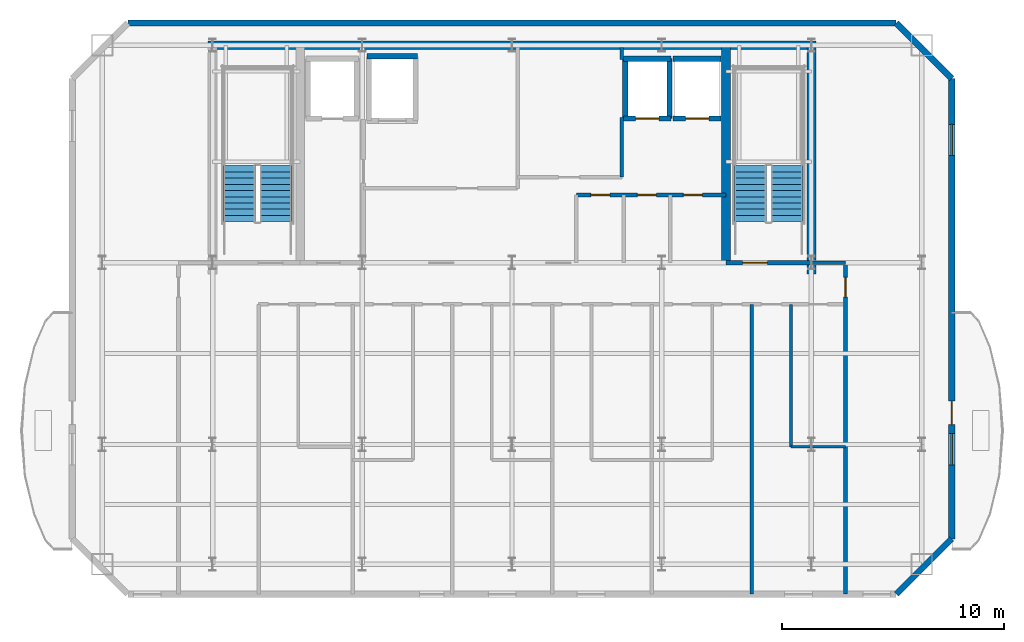
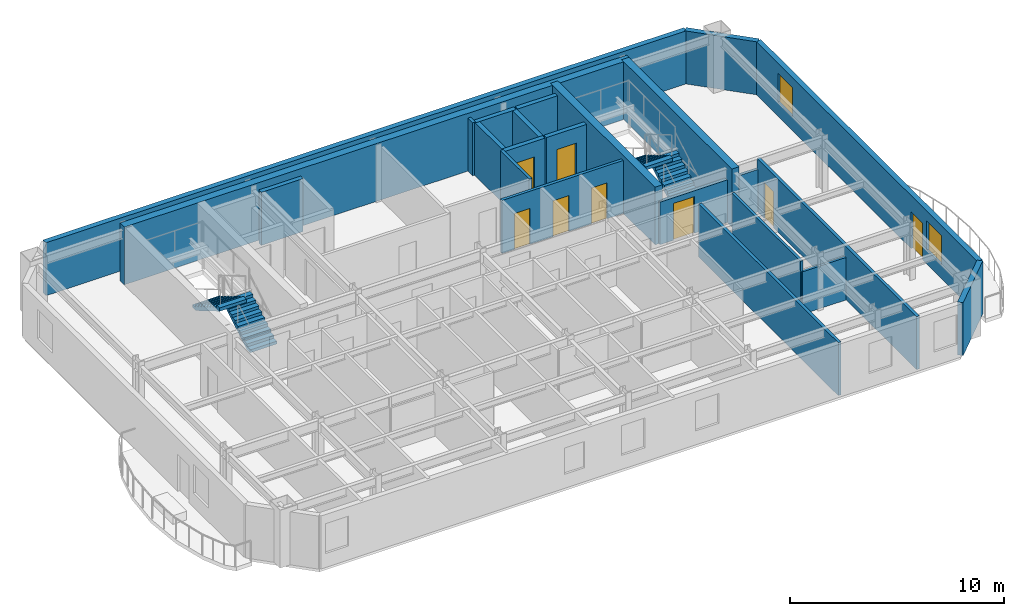
# One storey, part 4 of 6: 23 walls, 8 doors, 4 stair flights, 2 windows, 10 openings, 2 elements without a shape of their own.
"""IFC4 building model written with IfcOpenShell, lengths in metres."""

import ifcopenshell
import ifcopenshell.guid

model = None  # the IFC model being written
_history = None  # IfcOwnerHistory: only IFC2X3 demands one
_inside = {}  # id of a spatial element -> (the spatial element, [elements in it])
_under = {}  # id of a project, library or spatial element -> (it, [spatial elements below it])
_declared = {}  # id of a project -> (the project, [libraries it declares])
_typed = {}  # id of a type object -> (the type object, [elements of that type])
_made_of = {}  # id of a material, layer set ... -> (it, [elements and type objects made of it])


def new_model(schema):
    """Start an empty IFC model of exactly this schema.

    Asked for "IFC4X3", IfcOpenShell would pick the latest addendum, in which some entities
    have other attributes; the version numbers below select the first issue.
    IFC2X3 requires an IfcOwnerHistory on every rooted entity: one is made here for all.
    """
    global model, _history
    if schema == "IFC4X3":
        model = ifcopenshell.file(schema_version=(4, 3, 0, 0))
    else:
        model = ifcopenshell.file(schema=schema)
    _inside.clear()
    _under.clear()
    _declared.clear()
    _typed.clear()
    _made_of.clear()
    _history = None
    if model.schema == "IFC2X3":
        org = make("IfcOrganization", Name="unknown")
        user = make(
            "IfcPersonAndOrganization",
            ThePerson=make("IfcPerson", FamilyName="unknown"),
            TheOrganization=org,
        )
        app = make(
            "IfcApplication",
            ApplicationDeveloper=org,
            Version="unknown",
            ApplicationFullName="unknown",
            ApplicationIdentifier="unknown",
        )
        _history = make(
            "IfcOwnerHistory",
            OwningUser=user,
            OwningApplication=app,
            ChangeAction="ADDED",
            CreationDate=0,
        )
    return model


def make(cls, **values):
    """One entity of the class cls with the attributes given. An attribute that is None is left unset."""
    return model.create_entity(
        cls, **{name: value for name, value in values.items() if value is not None}
    )


def rooted(cls, **values):
    """An entity with a GlobalId (a new one), such as an element, a storey or a relation."""
    return make(cls, GlobalId=ifcopenshell.guid.new(), OwnerHistory=_history, **values)


def si_unit(unit_type, name, prefix=None):
    """IfcSIUnit, for example si_unit("LENGTHUNIT", "METRE", prefix="MILLI")."""
    return make("IfcSIUnit", UnitType=unit_type, Prefix=prefix, Name=name)


def assignment(units):
    """IfcUnitAssignment: the units of a project."""
    return None if units is None else make("IfcUnitAssignment", Units=units)


def point(xyz):
    """IfcCartesianPoint."""
    return None if xyz is None else make("IfcCartesianPoint", Coordinates=xyz)


def direction(xyz):
    """IfcDirection."""
    return None if xyz is None else make("IfcDirection", DirectionRatios=xyz)


def frame(location, z_axis=None, x_axis=None):
    """IfcAxis2Placement3D, a coordinate frame: its origin and axes. An axis left out is left unset."""
    return make(
        "IfcAxis2Placement3D",
        Location=point(location),
        Axis=direction(z_axis),
        RefDirection=direction(x_axis),
    )


def frame_2d(location, x_axis=None):
    """IfcAxis2Placement2D, a coordinate frame in the plane: its origin and x axis."""
    return make(
        "IfcAxis2Placement2D", Location=point(location), RefDirection=direction(x_axis)
    )


def origin():
    """The frame at (0, 0, 0) with its axes left unset."""
    return frame((0.0, 0.0, 0.0))


def place(relative_to, where):
    """IfcLocalPlacement: puts the frame where relative to a parent placement (None: the world)."""
    return make(
        "IfcLocalPlacement", PlacementRelTo=relative_to, RelativePlacement=where
    )


def context(
    kind, dimensions, precision=None, world=None, true_north=None, identifier=None
):
    """IfcGeometricRepresentationContext, for example the 3D "Model" context."""
    return make(
        "IfcGeometricRepresentationContext",
        ContextIdentifier=identifier,
        ContextType=kind,
        CoordinateSpaceDimension=dimensions,
        Precision=precision,
        WorldCoordinateSystem=world,
        TrueNorth=true_north,
    )


def subcontext(parent, identifier, kind, view, scale=None):
    """IfcGeometricRepresentationSubContext, for example "Body" below "Model"."""
    return make(
        "IfcGeometricRepresentationSubContext",
        ContextIdentifier=identifier,
        ContextType=kind,
        ParentContext=parent,
        TargetScale=scale,
        TargetView=view,
    )


def project(units=None, contexts=None):
    """IfcProject with its units and contexts."""
    return rooted(
        "IfcProject",
        Name="project",
        RepresentationContexts=contexts,
        UnitsInContext=assignment(units),
    )


def spatial(cls, under=None, at=None, **own):
    """A site, building, storey or space (cls), placed at a placement, below another one or the project."""
    s = rooted(cls, ObjectPlacement=at, **own)
    if under is not None:
        _under.setdefault(under.id(), (under, []))[1].append(s)
    return s


def polyline(points):
    """IfcPolyline through the points."""
    return make("IfcPolyline", Points=[point(p) for p in points])


def profile(cls, at=None, kind="AREA", **sizes):
    """A parametric profile (cls). Its sizes go by their IFC names, for example OverallWidth=200.0."""
    return make(cls, ProfileType=kind, Position=at, **sizes)


def rectangle(**sizes):
    """IfcRectangleProfileDef."""
    return profile("IfcRectangleProfileDef", **sizes)


def outline(outer, holes=None, kind="AREA"):
    """IfcArbitraryClosedProfileDef: a profile drawn as a closed curve; with holes, ...WithVoids."""
    if holes is None:
        return make("IfcArbitraryClosedProfileDef", ProfileType=kind, OuterCurve=outer)
    return make(
        "IfcArbitraryProfileDefWithVoids",
        ProfileType=kind,
        OuterCurve=outer,
        InnerCurves=holes,
    )


def extrude(swept, where, along, depth):
    """IfcExtrudedAreaSolid: the profile swept, set in the frame where, extruded along a direction by depth."""
    return make(
        "IfcExtrudedAreaSolid",
        SweptArea=swept,
        Position=where,
        ExtrudedDirection=direction(along),
        Depth=depth,
    )


def shape(context_of_items, identifier, shape_type, items):
    """IfcShapeRepresentation: the items that make up one representation, for example the "Body"."""
    return make(
        "IfcShapeRepresentation",
        ContextOfItems=context_of_items,
        RepresentationIdentifier=identifier,
        RepresentationType=shape_type,
        Items=items,
    )


def material(Name=None, Category=None):
    """IfcMaterial."""
    return make("IfcMaterial", Name=Name, Category=Category)


def layer(
    of_material, thickness, ventilated=None, Name=None, Category=None, Priority=None
):
    """IfcMaterialLayer: one layer of a wall or slab, of a material (None: an air gap)."""
    return make(
        "IfcMaterialLayer",
        Material=of_material,
        LayerThickness=thickness,
        IsVentilated=ventilated,
        Name=Name,
        Category=Category,
        Priority=Priority,
    )


def layer_set(layers, Name=None):
    """IfcMaterialLayerSet."""
    return make("IfcMaterialLayerSet", MaterialLayers=layers, LayerSetName=Name)


def made_of(thing, what):
    """Note that an element or type object is made of a material, layer set ...; save() writes the relation."""
    if what is not None:
        _made_of.setdefault(what.id(), (what, []))[1].append(thing)
    return thing


def type_object(cls, material=None, **own):
    """A type object (cls), such as IfcWallType, which elements share."""
    return made_of(rooted(cls, **own), material)


def element(
    cls,
    number,
    at=None,
    inside=None,
    cuts=None,
    type_object=None,
    material=None,
    context=None,
    identifier="Body",
    shape_type=None,
    held_by="IfcProductDefinitionShape",
    body=None,
    shapes=None,
    **own,
):
    """One element of the class cls, such as IfcWall. Its Tag is "e" and its number.

    at: its placement. inside: the storey or other place that contains it. cuts: it is an
    opening in that element (IfcRelVoidsElement). A single representation is given by context,
    identifier, shape_type and body (its items); several are given by shapes. held_by: the class
    of the entity that holds the representations. save() writes the other relations.
    """
    e = rooted(cls, Tag="e%d" % number, ObjectPlacement=at, **own)
    if body is not None:
        shapes = [shape(context, identifier, shape_type, body)]
    if shapes is not None:
        e.Representation = make(held_by, Representations=shapes)
    if inside is not None:
        _inside.setdefault(inside.id(), (inside, []))[1].append(e)
    if cuts is not None:
        rooted(
            "IfcRelVoidsElement", RelatingBuildingElement=cuts, RelatedOpeningElement=e
        )
    if type_object is not None:
        _typed.setdefault(type_object.id(), (type_object, []))[1].append(e)
    return made_of(e, material)


def fill(opening, filler):
    """IfcRelFillsElement: the door or window that sits in an opening."""
    return rooted(
        "IfcRelFillsElement",
        RelatingOpeningElement=opening,
        RelatedBuildingElement=filler,
    )


def aggregate(whole, parts):
    """IfcRelAggregates: a whole, such as a stair, and the parts it consists of."""
    return rooted("IfcRelAggregates", RelatingObject=whole, RelatedObjects=parts)


def save(model, path):
    """Write the relations noted so far, then the file.

    IfcRelAggregates (storeys below a building ...), IfcRelContainedInSpatialStructure (elements
    in a storey), IfcRelDefinesByType, IfcRelAssociatesMaterial and IfcRelDeclares: one each for
    every whole, place, type object, material and project.
    """
    for whole, parts in _under.values():
        aggregate(whole, parts)
    for where, things in _inside.values():
        rooted(
            "IfcRelContainedInSpatialStructure",
            RelatedElements=things,
            RelatingStructure=where,
        )
    for kind, things in _typed.values():
        rooted("IfcRelDefinesByType", RelatedObjects=things, RelatingType=kind)
    for what, things in _made_of.values():
        rooted("IfcRelAssociatesMaterial", RelatedObjects=things, RelatingMaterial=what)
    for by, libraries in _declared.values():
        rooted("IfcRelDeclares", RelatingContext=by, RelatedDefinitions=libraries)
    model.write(path)


model = new_model("IFC4")

# Units and contexts
model_context = context("Model", 3, precision=1e-05, world=origin(), true_north=direction((0.0, 1.0)))
body_context = subcontext(model_context, "Body", "Model", "MODEL_VIEW")
ifc_project = project(units=[si_unit("LENGTHUNIT", "METRE"), si_unit("AREAUNIT", "SQUARE_METRE"), si_unit("VOLUMEUNIT", "CUBIC_METRE"), si_unit("PLANEANGLEUNIT", "RADIAN"), si_unit("MASSUNIT", "GRAM", prefix="KILO")], contexts=[model_context])

# Site, building, storey
site_placement = place(None, origin())
site = spatial("IfcSite", under=ifc_project, at=site_placement, CompositionType="ELEMENT")
building_placement = place(site_placement, origin())
building = spatial("IfcBuilding", under=site, at=building_placement, Name="Haevon Station Towers", CompositionType="ELEMENT")
storey_placement = place(building_placement, frame((0.0, 0.0, 252.60009765625)))
storey = spatial("IfcBuildingStorey", under=building, at=storey_placement, Name="L70", CompositionType="ELEMENT", Elevation=252.60009765625)

# Wall, opening, door
ifc_material_1 = material(Name="Gypsum board on steel stud", Category="steel")
ifc_layer_1 = layer(ifc_material_1, 0.199951171875)
ifc_layer_set_1 = layer_set([ifc_layer_1], Name="Gypsum board on steel stud")
wall_type_1 = type_object("IfcWallType", Name="WL-COR200", PredefinedType="PARTITIONING", material=ifc_layer_set_1)
wall_1_placement = place(storey_placement, frame((47.14990234375, 38.199951171875, 0.0), z_axis=(0.0, 0.0, 1.0), x_axis=(1.0, 0.0, 0.0)))
wall_1 = element("IfcWall", 1, at=wall_1_placement, inside=storey, type_object=wall_type_1, Name="WL-ST-ST2-L70", PredefinedType="PARTITIONING", context=body_context, shape_type="SweptSolid", body=[
    extrude(rectangle(XDim=3.85009765625, YDim=0.199951171875, at=frame_2d((1.925048828125, 0.0))), origin(), (0.0, 0.0, 1.0), 2.429931640625),
])
opening_1_placement = place(wall_1_placement, frame((0.75, 0.0, 0.0)))
opening_1 = element("IfcOpeningElement", 2, at=opening_1_placement, cuts=wall_1, Name="Opening DR-ST-ST2-L70", PredefinedType="OPENING", context=body_context, shape_type="SweptSolid", body=[
    extrude(rectangle(XDim=1.1201171875, YDim=2.10009765625, at=frame_2d((0.56005859375, 1.050048828125))), frame((0.0, 0.10986328125, 0.0), z_axis=(0.0, -1.0, 0.0), x_axis=(1.0, 0.0, 0.0)), (0.0, 0.0, 1.0), 0.219970703125),
])
ifc_material_2 = material(Name="Engineered oak timber", Category="wood")
door_type_1 = type_object("IfcDoorType", Name="DR-ST-1120", OperationType="NOTDEFINED", PredefinedType="DOOR", material=ifc_material_2)
door_1_placement = place(opening_1_placement, origin())
door_1 = element("IfcDoor", 3, at=door_1_placement, inside=storey, type_object=door_type_1, Name="L70 Escape Stair ST2 Fire Door", OperationType="SINGLE_SWING_RIGHT", OverallHeight=2.10009765625, OverallWidth=1.1201171875, PredefinedType="DOOR", context=body_context, shape_type="SweptSolid", body=[
    extrude(rectangle(XDim=1.1201171875, YDim=2.10009765625, at=frame_2d((0.56005859375, 1.050048828125))), frame((0.0, 0.02490234375, 0.0), z_axis=(0.0, -1.0, 0.0), x_axis=(1.0, 0.0, 0.0)), (0.0, 0.0, 1.0), 0.050048828125),
])
fill(opening_1, door_1)

# Walls
ifc_material_3 = material(Name="Concrete C60/75", Category="concrete")
ifc_layer_2 = layer(ifc_material_3, 0.39990234375)
ifc_layer_set_2 = layer_set([ifc_layer_2], Name="Concrete C60/75")
wall_type_2 = type_object("IfcWallType", Name="WL-CR400", PredefinedType="SHEAR", material=ifc_layer_set_2)
wall_2_placement = place(storey_placement, frame((23.800048828125, 48.0, 0.0), z_axis=(0.0, 0.0, 1.0), x_axis=(1.0, 0.0, 0.0)))
element("IfcWall", 4, at=wall_2_placement, inside=storey, type_object=wall_type_2, Name="WL-T1CR-L70-N", PredefinedType="SHEAR", context=body_context, shape_type="SweptSolid", body=[
    extrude(rectangle(XDim=27.39990234375, YDim=0.39990234375, at=frame_2d((13.699951171875, 0.0))), origin(), (0.0, 0.0, 1.0), 3.2998046875),
])
wall_3_placement = place(storey_placement, frame((51.0, 37.679931640625, 0.0), z_axis=(0.0, 0.0, 1.0), x_axis=(0.0, 1.0, 0.0)))
element("IfcWall", 5, at=wall_3_placement, inside=storey, type_object=wall_type_2, Name="WL-T1CR-L70-E", PredefinedType="SHEAR", context=body_context, shape_type="SweptSolid", body=[
    extrude(rectangle(XDim=10.320068359375, YDim=0.39990234375, at=frame_2d((5.16015625, 0.0))), origin(), (0.0, 0.0, 1.0), 3.2998046875),
])
wall_4_placement = place(storey_placement, frame((47.14990234375, 38.199951171875, 0.0), z_axis=(0.0, 0.0, 1.0), x_axis=(0.0, 1.0, 0.0)))
element("IfcWall", 6, at=wall_4_placement, inside=storey, type_object=wall_type_2, Name="WL-T1CR-L70-M2", PredefinedType="SHEAR", context=body_context, shape_type="SweptSolid", body=[
    extrude(rectangle(XDim=9.800048828125, YDim=0.39990234375, at=frame_2d((4.89990234375, 0.0))), origin(), (0.0, 0.0, 1.0), 3.2998046875),
])
ifc_material_4 = material(Name="Precast concrete C45/55", Category="concrete")
ifc_layer_3 = layer(ifc_material_4, 0.280029296875)
ifc_layer_set_3 = layer_set([ifc_layer_3], Name="Precast concrete C45/55")
wall_type_3 = type_object("IfcWallType", Name="WL-EXT-PIER280", PredefinedType="SOLIDWALL", material=ifc_layer_set_3)
wall_5_placement = place(storey_placement, frame((20.175048828125, 49.0, 0.0), z_axis=(0.0, 0.0, 1.0), x_axis=(1.0, 0.0, 0.0)))
element("IfcWall", 7, at=wall_5_placement, inside=storey, type_object=wall_type_3, Name="WL-T1-L70-N", PredefinedType="SOLIDWALL", context=body_context, shape_type="SweptSolid", body=[
    extrude(rectangle(XDim=34.64990234375, YDim=0.280029296875, at=frame_2d((17.324951171875, 0.0))), origin(), (0.0, 0.0, 1.0), 3.02978515625),
])
wall_6_placement = place(storey_placement, frame((54.824951171875, 49.0, 0.0), z_axis=(0.0, 0.0, 1.0), x_axis=(0.707106781187, -0.707106781187, 0.0)))
element("IfcWall", 8, at=wall_6_placement, inside=storey, type_object=wall_type_3, Name="WL-T1-L70-NEC", PredefinedType="SOLIDWALL", context=body_context, shape_type="SweptSolid", body=[
    extrude(rectangle(XDim=3.53564453125, YDim=0.280029296875, at=frame_2d((1.767822265625, 0.0))), origin(), (0.0, 0.0, 1.0), 3.02978515625),
])

# Wall, openings, door, windows
wall_7_placement = place(storey_placement, frame((57.324951171875, 46.5, 0.0), z_axis=(0.0, 0.0, 1.0), x_axis=(0.0, -1.0, 0.0)))
wall_7 = element("IfcWall", 9, at=wall_7_placement, inside=storey, type_object=wall_type_3, Name="WL-T1-L70-E", PredefinedType="SOLIDWALL", context=body_context, shape_type="SweptSolid", body=[
    extrude(rectangle(XDim=20.75, YDim=0.280029296875, at=frame_2d((10.375, 0.0))), origin(), (0.0, 0.0, 1.0), 3.02978515625),
])
opening_2_placement = place(wall_7_placement, frame((14.550048828125, 0.0, 0.0)))
opening_2 = element("IfcOpeningElement", 10, at=opening_2_placement, cuts=wall_7, Name="Opening DR-T1-SCAL-L70-E", PredefinedType="OPENING", context=body_context, shape_type="SweptSolid", body=[
    extrude(rectangle(XDim=1.050048828125, YDim=2.10009765625, at=frame_2d((0.52490234375, 1.050048828125))), frame((0.0, 0.14990234375, 0.0), z_axis=(0.0, -1.0, 0.0), x_axis=(1.0, 0.0, 0.0)), (0.0, 0.0, 1.0), 0.300048828125),
])
opening_3_placement = place(wall_7_placement, frame((2.06787109375, 0.0, 0.800048828125)))
opening_3 = element("IfcOpeningElement", 11, at=opening_3_placement, cuts=wall_7, Name="Opening WN-END140", PredefinedType="OPENING", context=body_context, shape_type="SweptSolid", body=[
    extrude(rectangle(XDim=1.39990234375, YDim=1.64990234375, at=frame_2d((0.699951171875, 0.824951171875))), frame((0.0, 0.14990234375, 0.0), z_axis=(0.0, -1.0, 0.0), x_axis=(1.0, 0.0, 0.0)), (0.0, 0.0, 1.0), 0.300048828125),
])
opening_4_placement = place(wall_7_placement, frame((16.014404296875, 0.0, 0.800048828125)))
opening_4 = element("IfcOpeningElement", 12, at=opening_4_placement, cuts=wall_7, Name="Opening WN-END140", PredefinedType="OPENING", context=body_context, shape_type="SweptSolid", body=[
    extrude(rectangle(XDim=1.39990234375, YDim=1.64990234375, at=frame_2d((0.699951171875, 0.824951171875))), frame((0.0, 0.14990234375, 0.0), z_axis=(0.0, -1.0, 0.0), x_axis=(1.0, 0.0, 0.0)), (0.0, 0.0, 1.0), 0.300048828125),
])
ifc_material_5 = material(Name="Thermally broken anodised aluminium and laminated safety glass", Category="aluminium")
door_type_2 = type_object("IfcDoorType", Name="DR-BALC-1050", OperationType="NOTDEFINED", PredefinedType="DOOR", material=ifc_material_5)
door_2_placement = place(opening_2_placement, origin())
door_2 = element("IfcDoor", 13, at=door_2_placement, inside=storey, type_object=door_type_2, Name="Tower 1 L70 East Scalloped Balcony Door", OperationType="SINGLE_SWING_LEFT", OverallHeight=2.10009765625, OverallWidth=1.050048828125, PredefinedType="DOOR", context=body_context, shape_type="SweptSolid", body=[
    extrude(rectangle(XDim=1.050048828125, YDim=2.10009765625, at=frame_2d((0.52490234375, 1.050048828125))), frame((0.0, 0.02490234375, 0.0), z_axis=(0.0, -1.0, 0.0), x_axis=(1.0, 0.0, 0.0)), (0.0, 0.0, 1.0), 0.050048828125),
])
fill(opening_2, door_2)
ifc_material_6 = material(Name="Low-E triple glazing in thermally broken aluminium", Category="aluminium")
window_type = type_object("IfcWindowType", Name="WN-END140", PartitioningType="SINGLE_PANEL", PredefinedType="WINDOW", material=ifc_material_6)
window_1_placement = place(opening_3_placement, origin())
window_1 = element("IfcWindow", 14, at=window_1_placement, inside=storey, type_object=window_type, Name="WN-T1-L70-E01", OverallHeight=1.64990234375, OverallWidth=1.39990234375, PartitioningType="SINGLE_PANEL", PredefinedType="WINDOW", context=body_context, shape_type="SweptSolid", body=[
    extrude(rectangle(XDim=1.39990234375, YDim=1.64990234375, at=frame_2d((0.699951171875, 0.824951171875))), frame((0.0, 0.030029296875, 0.0), z_axis=(0.0, -1.0, 0.0), x_axis=(1.0, 0.0, 0.0)), (0.0, 0.0, 1.0), 0.06005859375),
])
fill(opening_3, window_1)
window_2_placement = place(opening_4_placement, origin())
window_2 = element("IfcWindow", 15, at=window_2_placement, inside=storey, type_object=window_type, Name="WN-T1-L70-E02", OverallHeight=1.64990234375, OverallWidth=1.39990234375, PartitioningType="SINGLE_PANEL", PredefinedType="WINDOW", context=body_context, shape_type="SweptSolid", body=[
    extrude(rectangle(XDim=1.39990234375, YDim=1.64990234375, at=frame_2d((0.699951171875, 0.824951171875))), frame((0.0, 0.030029296875, 0.0), z_axis=(0.0, -1.0, 0.0), x_axis=(1.0, 0.0, 0.0)), (0.0, 0.0, 1.0), 0.06005859375),
])
fill(opening_4, window_2)

# Walls
wall_8_placement = place(storey_placement, frame((57.324951171875, 25.75, 0.0), z_axis=(0.0, 0.0, 1.0), x_axis=(-0.707106781187, -0.707106781187, 0.0)))
element("IfcWall", 16, at=wall_8_placement, inside=storey, type_object=wall_type_3, Name="WL-T1-L70-SEC", PredefinedType="SOLIDWALL", context=body_context, shape_type="SweptSolid", body=[
    extrude(rectangle(XDim=3.53564453125, YDim=0.280029296875, at=frame_2d((1.767822265625, 0.0))), origin(), (0.0, 0.0, 1.0), 3.02978515625),
])
ifc_layer_4 = layer(ifc_material_1, 0.125)
ifc_layer_set_4 = layer_set([ifc_layer_4], Name="Gypsum board on steel stud")
wall_type_4 = type_object("IfcWallType", Name="WL-PRT125", PredefinedType="PARTITIONING", material=ifc_layer_set_4)
wall_9_placement = place(storey_placement, frame((50.084716796875, 29.8974609375, 0.0), z_axis=(0.0, 0.0, 1.0), x_axis=(1.0, 0.0, 0.0)))
element("IfcWall", 17, at=wall_9_placement, inside=storey, type_object=wall_type_4, Name="WL-T1PT-L70-21", PredefinedType="PARTITIONING", context=body_context, shape_type="SweptSolid", body=[
    extrude(rectangle(XDim=2.453369140625, YDim=0.125, at=frame_2d((1.2265625, 0.0))), origin(), (0.0, 0.0, 1.0), 2.429931640625),
])
ifc_layer_5 = layer(ifc_material_1, 0.139892578125)
ifc_layer_set_5 = layer_set([ifc_layer_5], Name="Gypsum board on steel stud")
wall_type_5 = type_object("IfcWallType", Name="WL-PRT140", PredefinedType="PARTITIONING", material=ifc_layer_set_5)
wall_10_placement = place(storey_placement, frame((50.084716796875, 29.8974609375, 0.0), z_axis=(0.0, 0.0, 1.0), x_axis=(0.0, 1.0, 0.0)))
element("IfcWall", 18, at=wall_10_placement, inside=storey, type_object=wall_type_5, Name="WL-T1PT-L70-22", PredefinedType="PARTITIONING", context=body_context, shape_type="SweptSolid", body=[
    extrude(rectangle(XDim=6.422607421875, YDim=0.139892578125, at=frame_2d((3.21142578125, 0.0))), origin(), (0.0, 0.0, 1.0), 3.02978515625),
])
ifc_layer_6 = layer(ifc_material_1, 0.159912109375)
ifc_layer_set_6 = layer_set([ifc_layer_6], Name="Gypsum board on steel stud")
wall_type_6 = type_object("IfcWallType", Name="WL-PRT160", PredefinedType="PARTITIONING", material=ifc_layer_set_6)
wall_11_placement = place(storey_placement, frame((42.449951171875, 42.050048828125, 0.0), z_axis=(0.0, 0.0, 1.0), x_axis=(0.0, 1.0, 0.0)))
element("IfcWall", 19, at=wall_11_placement, inside=storey, type_object=wall_type_6, Name="WL-T1CW-L70-04", PredefinedType="PARTITIONING", context=body_context, shape_type="SweptSolid", body=[
    extrude(rectangle(XDim=2.699951171875, YDim=0.159912109375, at=frame_2d((1.35009765625, 0.0))), origin(), (0.0, 0.0, 1.0), 3.02978515625),
])
wall_12_placement = place(storey_placement, frame((42.449951171875, 47.35009765625, 0.0), z_axis=(0.0, 0.0, 1.0), x_axis=(0.0, 1.0, 0.0)))
element("IfcWall", 20, at=wall_12_placement, inside=storey, type_object=wall_type_6, Name="WL-T1CW-L70-05", PredefinedType="PARTITIONING", context=body_context, shape_type="SweptSolid", body=[
    extrude(rectangle(XDim=0.5498046875, YDim=0.159912109375, at=frame_2d((0.27490234375, 0.0))), origin(), (0.0, 0.0, 1.0), 3.02978515625),
])

# Wall, openings, doors
wall_13_placement = place(storey_placement, frame((40.39990234375, 41.25, 0.0), z_axis=(0.0, 0.0, 1.0), x_axis=(1.0, 0.0, 0.0)))
wall_13 = element("IfcWall", 21, at=wall_13_placement, inside=storey, type_object=wall_type_6, Name="WL-T1CW-L70-09", PredefinedType="PARTITIONING", context=body_context, shape_type="SweptSolid", body=[
    extrude(rectangle(XDim=6.75, YDim=0.159912109375, at=frame_2d((3.375, 0.0))), origin(), (0.0, 0.0, 1.0), 3.02978515625),
])
opening_5_placement = place(wall_13_placement, frame((0.659912109375, 0.0, 0.0)))
opening_5 = element("IfcOpeningElement", 22, at=opening_5_placement, cuts=wall_13, Name="Opening DR-WL-T1CW-L70-09-1", PredefinedType="OPENING", context=body_context, shape_type="SweptSolid", body=[
    extrude(rectangle(XDim=0.85009765625, YDim=2.050048828125, at=frame_2d((0.425048828125, 1.02490234375))), frame((0.0, 0.08984375, 0.0), z_axis=(0.0, -1.0, 0.0), x_axis=(1.0, 0.0, 0.0)), (0.0, 0.0, 1.0), 0.179931640625),
])
opening_6_placement = place(wall_13_placement, frame((2.7548828125, 0.0, 0.0)))
opening_6 = element("IfcOpeningElement", 23, at=opening_6_placement, cuts=wall_13, Name="Opening DR-WL-T1CW-L70-09-2", PredefinedType="OPENING", context=body_context, shape_type="SweptSolid", body=[
    extrude(rectangle(XDim=0.85009765625, YDim=2.050048828125, at=frame_2d((0.425048828125, 1.02490234375))), frame((0.0, 0.08984375, 0.0), z_axis=(0.0, -1.0, 0.0), x_axis=(1.0, 0.0, 0.0)), (0.0, 0.0, 1.0), 0.179931640625),
])
opening_7_placement = place(wall_13_placement, frame((4.830078125, 0.0, 0.0)))
opening_7 = element("IfcOpeningElement", 24, at=opening_7_placement, cuts=wall_13, Name="Opening DR-WL-T1CW-L70-09-3", PredefinedType="OPENING", context=body_context, shape_type="SweptSolid", body=[
    extrude(rectangle(XDim=0.85009765625, YDim=2.050048828125, at=frame_2d((0.425048828125, 1.02490234375))), frame((0.0, 0.08984375, 0.0), z_axis=(0.0, -1.0, 0.0), x_axis=(1.0, 0.0, 0.0)), (0.0, 0.0, 1.0), 0.179931640625),
])
door_type_3 = type_object("IfcDoorType", Name="DR-FD30-850", OperationType="NOTDEFINED", PredefinedType="DOOR", material=ifc_material_2)
door_3_placement = place(opening_5_placement, origin())
door_3 = element("IfcDoor", 25, at=door_3_placement, inside=storey, type_object=door_type_3, Name="L70 Tower 1 Core Room Door 9-1", OperationType="SINGLE_SWING_RIGHT", OverallHeight=2.050048828125, OverallWidth=0.85009765625, PredefinedType="DOOR", context=body_context, shape_type="SweptSolid", body=[
    extrude(rectangle(XDim=0.85009765625, YDim=2.050048828125, at=frame_2d((0.425048828125, 1.02490234375))), frame((0.0, 0.02490234375, 0.0), z_axis=(0.0, -1.0, 0.0), x_axis=(1.0, 0.0, 0.0)), (0.0, 0.0, 1.0), 0.050048828125),
])
fill(opening_5, door_3)
door_4_placement = place(opening_6_placement, origin())
door_4 = element("IfcDoor", 26, at=door_4_placement, inside=storey, type_object=door_type_3, Name="L70 Tower 1 Core Room Door 9-2", OperationType="SINGLE_SWING_LEFT", OverallHeight=2.050048828125, OverallWidth=0.85009765625, PredefinedType="DOOR", context=body_context, shape_type="SweptSolid", body=[
    extrude(rectangle(XDim=0.85009765625, YDim=2.050048828125, at=frame_2d((0.425048828125, 1.02490234375))), frame((0.0, 0.02490234375, 0.0), z_axis=(0.0, -1.0, 0.0), x_axis=(1.0, 0.0, 0.0)), (0.0, 0.0, 1.0), 0.050048828125),
])
fill(opening_6, door_4)
door_5_placement = place(opening_7_placement, origin())
door_5 = element("IfcDoor", 27, at=door_5_placement, inside=storey, type_object=door_type_3, Name="L70 Tower 1 Core Room Door 9-3", OperationType="SINGLE_SWING_RIGHT", OverallHeight=2.050048828125, OverallWidth=0.85009765625, PredefinedType="DOOR", context=body_context, shape_type="SweptSolid", body=[
    extrude(rectangle(XDim=0.85009765625, YDim=2.050048828125, at=frame_2d((0.425048828125, 1.02490234375))), frame((0.0, 0.02490234375, 0.0), z_axis=(0.0, -1.0, 0.0), x_axis=(1.0, 0.0, 0.0)), (0.0, 0.0, 1.0), 0.050048828125),
])
fill(opening_7, door_5)

# Wall
wall_14_placement = place(storey_placement, frame((51.0, 38.199951171875, 0.0), z_axis=(0.0, 0.0, 1.0), x_axis=(1.0, 0.0, 0.0)))
element("IfcWall", 28, at=wall_14_placement, inside=storey, type_object=wall_type_6, Name="WL-T1PT-L70-03", PredefinedType="PARTITIONING", context=body_context, shape_type="SweptSolid", body=[
    extrude(rectangle(XDim=1.5380859375, YDim=0.159912109375, at=frame_2d((0.76904296875, 0.0))), origin(), (0.0, 0.0, 1.0), 2.429931640625),
])

# Wall, opening, door
wall_15_placement = place(storey_placement, frame((52.5380859375, 23.25, 0.0), z_axis=(0.0, 0.0, 1.0), x_axis=(0.0, 1.0, 0.0)))
wall_15 = element("IfcWall", 29, at=wall_15_placement, inside=storey, type_object=wall_type_6, Name="WL-T1PT-L70-05", PredefinedType="PARTITIONING", context=body_context, shape_type="SweptSolid", body=[
    extrude(rectangle(XDim=14.949951171875, YDim=0.159912109375, at=frame_2d((7.47509765625, 0.0))), origin(), (0.0, 0.0, 1.0), 3.02978515625),
])
opening_8_placement = place(wall_15_placement, frame((13.389892578125, 0.0, 0.0)))
opening_8 = element("IfcOpeningElement", 30, at=opening_8_placement, cuts=wall_15, Name="Opening DR-WL-T1PT-L70-05-01", PredefinedType="OPENING", context=body_context, shape_type="SweptSolid", body=[
    extrude(rectangle(XDim=0.89990234375, YDim=2.050048828125, at=frame_2d((0.449951171875, 1.02490234375))), frame((0.0, 0.08984375, 0.0), z_axis=(0.0, -1.0, 0.0), x_axis=(1.0, 0.0, 0.0)), (0.0, 0.0, 1.0), 0.179931640625),
])
door_type_4 = type_object("IfcDoorType", Name="DR-INT-900", OperationType="NOTDEFINED", PredefinedType="DOOR", material=ifc_material_2)
door_6_placement = place(opening_8_placement, origin())
door_6 = element("IfcDoor", 31, at=door_6_placement, inside=storey, type_object=door_type_4, Name="L70 Tower 1 Room Door 5-1", OperationType="SINGLE_SWING_RIGHT", OverallHeight=2.050048828125, OverallWidth=0.89990234375, PredefinedType="DOOR", context=body_context, shape_type="SweptSolid", body=[
    extrude(rectangle(XDim=0.89990234375, YDim=2.050048828125, at=frame_2d((0.449951171875, 1.02490234375))), frame((0.0, 0.02490234375, 0.0), z_axis=(0.0, -1.0, 0.0), x_axis=(1.0, 0.0, 0.0)), (0.0, 0.0, 1.0), 0.050048828125),
])
fill(opening_8, door_6)

# Walls
wall_16_placement = place(storey_placement, frame((48.3046875, 23.25, 0.0), z_axis=(0.0, 0.0, 1.0), x_axis=(0.0, 1.0, 0.0)))
element("IfcWall", 32, at=wall_16_placement, inside=storey, type_object=wall_type_6, Name="WL-T1PT-L70-20", PredefinedType="PARTITIONING", context=body_context, shape_type="SweptSolid", body=[
    extrude(rectangle(XDim=13.070068359375, YDim=0.159912109375, at=frame_2d((6.53515625, 0.0))), origin(), (0.0, 0.0, 1.0), 3.02978515625),
])
ifc_material_7 = material(Name="Concrete C40/50", Category="concrete")
ifc_layer_7 = layer(ifc_material_7, 0.239990234375)
ifc_layer_set_7 = layer_set([ifc_layer_7], Name="Concrete C40/50")
wall_type_7 = type_object("IfcWallType", Name="WL-SHF240", PredefinedType="PARTITIONING", material=ifc_layer_set_7)
wall_17_placement = place(storey_placement, frame((30.969970703125, 47.5, 0.0), z_axis=(0.0, 0.0, 1.0), x_axis=(1.0, 0.0, 0.0)))
element("IfcWall", 33, at=wall_17_placement, inside=storey, type_object=wall_type_7, Name="WL-SHF-SL1-L70-N", PredefinedType="PARTITIONING", context=body_context, shape_type="SweptSolid", body=[
    extrude(rectangle(XDim=2.260009765625, YDim=0.239990234375, at=frame_2d((1.1298828125, 0.0))), origin(), (0.0, 0.0, 1.0), 3.02978515625),
])

# Wall, opening, door
wall_18_placement = place(storey_placement, frame((42.52001953125, 44.699951171875, 0.0), z_axis=(0.0, 0.0, 1.0), x_axis=(1.0, 0.0, 0.0)))
wall_18 = element("IfcWall", 34, at=wall_18_placement, inside=storey, type_object=wall_type_7, Name="WL-SHF-PL5-L70", PredefinedType="PARTITIONING", context=body_context, shape_type="SweptSolid", body=[
    extrude(rectangle(XDim=2.159912109375, YDim=0.239990234375, at=frame_2d((1.080078125, 0.0))), origin(), (0.0, 0.0, 1.0), 3.02978515625),
])
opening_9_placement = place(wall_18_placement, frame((0.554931640625, 0.0, 0.0)))
opening_9 = element("IfcOpeningElement", 35, at=opening_9_placement, cuts=wall_18, Name="Opening LD-PL5-L70", PredefinedType="OPENING", context=body_context, shape_type="SweptSolid", body=[
    extrude(rectangle(XDim=1.050048828125, YDim=2.14990234375, at=frame_2d((0.52490234375, 1.074951171875))), frame((0.0, 0.1298828125, 0.0), z_axis=(0.0, -1.0, 0.0), x_axis=(1.0, 0.0, 0.0)), (0.0, 0.0, 1.0), 0.260009765625),
])
ifc_material_8 = material(Name="Stainless steel and rated core", Category="steel")
door_type_5 = type_object("IfcDoorType", Name="LD-PL1050", OperationType="SLIDING_TO_LEFT", PredefinedType="DOOR", material=ifc_material_8)
door_7_placement = place(opening_9_placement, origin())
door_7 = element("IfcDoor", 36, at=door_7_placement, inside=storey, type_object=door_type_5, Name="L70 Lift PL5 Sliding Landing Door", OperationType="SLIDING_TO_LEFT", OverallHeight=2.14990234375, OverallWidth=1.050048828125, PredefinedType="DOOR", context=body_context, shape_type="SweptSolid", body=[
    extrude(rectangle(XDim=1.050048828125, YDim=2.14990234375, at=frame_2d((0.52490234375, 1.074951171875))), frame((0.0, 0.02490234375, 0.0), z_axis=(0.0, -1.0, 0.0), x_axis=(1.0, 0.0, 0.0)), (0.0, 0.0, 1.0), 0.050048828125),
])
fill(opening_9, door_7)

# Walls
wall_19_placement = place(storey_placement, frame((42.52001953125, 47.39990234375, 0.0), z_axis=(0.0, 0.0, 1.0), x_axis=(1.0, 0.0, 0.0)))
element("IfcWall", 37, at=wall_19_placement, inside=storey, type_object=wall_type_7, Name="WL-SHF-PL5-L70-N", PredefinedType="PARTITIONING", context=body_context, shape_type="SweptSolid", body=[
    extrude(rectangle(XDim=2.159912109375, YDim=0.239990234375, at=frame_2d((1.080078125, 0.0))), origin(), (0.0, 0.0, 1.0), 3.02978515625),
])
for number, where, z_axis, x_axis, name in (
    (38, (42.60009765625, 44.699951171875, 0.0), (0.0, 0.0, 1.0), (0.0, 1.0, 0.0), "WL-SHF-PL5-L70-W"),
    (39, (44.60009765625, 44.699951171875, 0.0), (0.0, 0.0, 1.0), (0.0, 1.0, 0.0), "WL-SHF-PL5-L70-E"),
):
    element("IfcWall", number, at=place(storey_placement, frame(where, z_axis=z_axis, x_axis=x_axis)), inside=storey, type_object=wall_type_7, Name=name, PredefinedType="PARTITIONING", context=body_context, shape_type="SweptSolid", body=[
        extrude(rectangle(XDim=2.699951171875, YDim=0.239990234375, at=frame_2d((1.35009765625, 0.0))), origin(), (0.0, 0.0, 1.0), 3.02978515625),
    ])

# Wall, opening, door
wall_20_placement = place(storey_placement, frame((44.77001953125, 44.699951171875, 0.0), z_axis=(0.0, 0.0, 1.0), x_axis=(1.0, 0.0, 0.0)))
wall_20 = element("IfcWall", 40, at=wall_20_placement, inside=storey, type_object=wall_type_7, Name="WL-SHF-PL6-L70", PredefinedType="PARTITIONING", context=body_context, shape_type="SweptSolid", body=[
    extrude(rectangle(XDim=2.159912109375, YDim=0.239990234375, at=frame_2d((1.080078125, 0.0))), origin(), (0.0, 0.0, 1.0), 3.02978515625),
])
opening_10_placement = place(wall_20_placement, frame((0.554931640625, 0.0, 0.0)))
opening_10 = element("IfcOpeningElement", 41, at=opening_10_placement, cuts=wall_20, Name="Opening LD-PL6-L70", PredefinedType="OPENING", context=body_context, shape_type="SweptSolid", body=[
    extrude(rectangle(XDim=1.050048828125, YDim=2.14990234375, at=frame_2d((0.52490234375, 1.074951171875))), frame((0.0, 0.1298828125, 0.0), z_axis=(0.0, -1.0, 0.0), x_axis=(1.0, 0.0, 0.0)), (0.0, 0.0, 1.0), 0.260009765625),
])
door_8_placement = place(opening_10_placement, origin())
door_8 = element("IfcDoor", 42, at=door_8_placement, inside=storey, type_object=door_type_5, Name="L70 Lift PL6 Sliding Landing Door", OperationType="SLIDING_TO_LEFT", OverallHeight=2.14990234375, OverallWidth=1.050048828125, PredefinedType="DOOR", context=body_context, shape_type="SweptSolid", body=[
    extrude(rectangle(XDim=1.050048828125, YDim=2.14990234375, at=frame_2d((0.52490234375, 1.074951171875))), frame((0.0, 0.02490234375, 0.0), z_axis=(0.0, -1.0, 0.0), x_axis=(1.0, 0.0, 0.0)), (0.0, 0.0, 1.0), 0.050048828125),
])
fill(opening_10, door_8)

# Wall
wall_21_placement = place(storey_placement, frame((44.77001953125, 47.39990234375, 0.0), z_axis=(0.0, 0.0, 1.0), x_axis=(1.0, 0.0, 0.0)))
element("IfcWall", 43, at=wall_21_placement, inside=storey, type_object=wall_type_7, Name="WL-SHF-PL6-L70-N", PredefinedType="PARTITIONING", context=body_context, shape_type="SweptSolid", body=[
    extrude(rectangle(XDim=2.159912109375, YDim=0.239990234375, at=frame_2d((1.080078125, 0.0))), origin(), (0.0, 0.0, 1.0), 3.02978515625),
])

# Stair, stair flights
stair_type = type_object("IfcStairType", Name="STR-DL1450", PredefinedType="USERDEFINED", material=ifc_material_7)
stair_1_placement = place(storey_placement, origin())
stair_1 = element("IfcStair", 44, at=stair_1_placement, inside=storey, type_object=stair_type, Name="L70 Escape Stair ST1", ObjectType="TWO_RETURN_STAIR", PredefinedType="USERDEFINED")
stair_flight_type = type_object("IfcStairFlightType", Name="STF-ST1450", PredefinedType="STRAIGHT", material=ifc_material_7)
stair_flight_1_placement = place(storey_placement, frame((26.85498046875, 40.050048828125, 0.0), z_axis=(0.0, 0.0, 1.0), x_axis=(0.0, 1.0, 0.0)))
stair_flight_1 = element("IfcStairFlight", 45, at=stair_flight_1_placement, type_object=stair_flight_type, Name="L70 ST1 Flight 1", NumberOfRisers=10, NumberOfTreads=9, PredefinedType="STRAIGHT", RiserHeight=0.165, TreadLength=0.28, context=body_context, shape_type="SweptSolid", body=[
    extrude(outline(polyline([(0.0, 0.0), (0.0, 0.1650390625), (0.280029296875, 0.1650390625), (0.280029296875, 0.330078125), (0.56005859375, 0.330078125), (0.56005859375, 0.4951171875), (0.840087890625, 0.4951171875), (0.840087890625, 0.659912109375), (1.1201171875, 0.659912109375), (1.1201171875, 0.824951171875), (1.39990234375, 0.824951171875), (1.39990234375, 0.989990234375), (1.679931640625, 0.989990234375), (1.679931640625, 1.155029296875), (1.9599609375, 1.155029296875), (1.9599609375, 1.320068359375), (2.239990234375, 1.320068359375), (2.239990234375, 1.485107421875), (2.52001953125, 1.485107421875), (2.52001953125, 1.64990234375), (2.52001953125, 1.29931640625), (0.31494140625, 0.0), (0.0, 0.0)])), frame((0.0, 0.72509765625, 0.0), z_axis=(0.0, -1.0, 0.0), x_axis=(1.0, 0.0, 0.0)), (0.0, 0.0, 1.0), 1.449951171875),
])
stair_flight_2_placement = place(storey_placement, frame((25.205078125, 42.570068359375, 1.64990234375), z_axis=(0.0, 0.0, 1.0), x_axis=(0.0, -1.0, 0.0)))
stair_flight_2 = element("IfcStairFlight", 46, at=stair_flight_2_placement, type_object=stair_flight_type, Name="L70 ST1 Flight 2", NumberOfRisers=10, NumberOfTreads=9, PredefinedType="STRAIGHT", RiserHeight=0.165, TreadLength=0.28, context=body_context, shape_type="SweptSolid", body=[
    extrude(outline(polyline([(0.0, 0.0), (0.0, 0.1650390625), (0.280029296875, 0.1650390625), (0.280029296875, 0.330078125), (0.56005859375, 0.330078125), (0.56005859375, 0.4951171875), (0.840087890625, 0.4951171875), (0.840087890625, 0.659912109375), (1.1201171875, 0.659912109375), (1.1201171875, 0.824951171875), (1.39990234375, 0.824951171875), (1.39990234375, 0.989990234375), (1.679931640625, 0.989990234375), (1.679931640625, 1.155029296875), (1.9599609375, 1.155029296875), (1.9599609375, 1.320068359375), (2.239990234375, 1.320068359375), (2.239990234375, 1.485107421875), (2.52001953125, 1.485107421875), (2.52001953125, 1.64990234375), (2.52001953125, 1.29931640625), (0.31494140625, 0.0), (0.0, 0.0)])), frame((0.0, 0.72509765625, 0.0), z_axis=(0.0, -1.0, 0.0), x_axis=(1.0, 0.0, 0.0)), (0.0, 0.0, 1.0), 1.449951171875),
])
aggregate(stair_1, [stair_flight_1, stair_flight_2])

stair_2_placement = place(storey_placement, origin())
stair_2 = element("IfcStair", 47, at=stair_2_placement, inside=storey, type_object=stair_type, Name="L70 Escape Stair ST2", ObjectType="TWO_RETURN_STAIR", PredefinedType="USERDEFINED")
stair_flight_3_placement = place(storey_placement, frame((49.89501953125, 40.050048828125, 0.0), z_axis=(0.0, 0.0, 1.0), x_axis=(0.0, 1.0, 0.0)))
stair_flight_3 = element("IfcStairFlight", 48, at=stair_flight_3_placement, type_object=stair_flight_type, Name="L70 ST2 Flight 1", NumberOfRisers=10, NumberOfTreads=9, PredefinedType="STRAIGHT", RiserHeight=0.165, TreadLength=0.28, context=body_context, shape_type="SweptSolid", body=[
    extrude(outline(polyline([(0.0, 0.0), (0.0, 0.1650390625), (0.280029296875, 0.1650390625), (0.280029296875, 0.330078125), (0.56005859375, 0.330078125), (0.56005859375, 0.4951171875), (0.840087890625, 0.4951171875), (0.840087890625, 0.659912109375), (1.1201171875, 0.659912109375), (1.1201171875, 0.824951171875), (1.39990234375, 0.824951171875), (1.39990234375, 0.989990234375), (1.679931640625, 0.989990234375), (1.679931640625, 1.155029296875), (1.9599609375, 1.155029296875), (1.9599609375, 1.320068359375), (2.239990234375, 1.320068359375), (2.239990234375, 1.485107421875), (2.52001953125, 1.485107421875), (2.52001953125, 1.64990234375), (2.52001953125, 1.29931640625), (0.31494140625, 0.0), (0.0, 0.0)])), frame((0.0, 0.72509765625, 0.0), z_axis=(0.0, -1.0, 0.0), x_axis=(1.0, 0.0, 0.0)), (0.0, 0.0, 1.0), 1.449951171875),
])
stair_flight_4_placement = place(storey_placement, frame((48.2451171875, 42.570068359375, 1.64990234375), z_axis=(0.0, 0.0, 1.0), x_axis=(0.0, -1.0, 0.0)))
stair_flight_4 = element("IfcStairFlight", 49, at=stair_flight_4_placement, type_object=stair_flight_type, Name="L70 ST2 Flight 2", NumberOfRisers=10, NumberOfTreads=9, PredefinedType="STRAIGHT", RiserHeight=0.165, TreadLength=0.28, context=body_context, shape_type="SweptSolid", body=[
    extrude(outline(polyline([(0.0, 0.0), (0.0, 0.1650390625), (0.280029296875, 0.1650390625), (0.280029296875, 0.330078125), (0.56005859375, 0.330078125), (0.56005859375, 0.4951171875), (0.840087890625, 0.4951171875), (0.840087890625, 0.659912109375), (1.1201171875, 0.659912109375), (1.1201171875, 0.824951171875), (1.39990234375, 0.824951171875), (1.39990234375, 0.989990234375), (1.679931640625, 0.989990234375), (1.679931640625, 1.155029296875), (1.9599609375, 1.155029296875), (1.9599609375, 1.320068359375), (2.239990234375, 1.320068359375), (2.239990234375, 1.485107421875), (2.52001953125, 1.485107421875), (2.52001953125, 1.64990234375), (2.52001953125, 1.29931640625), (0.31494140625, 0.0), (0.0, 0.0)])), frame((0.0, 0.72509765625, 0.0), z_axis=(0.0, -1.0, 0.0), x_axis=(1.0, 0.0, 0.0)), (0.0, 0.0, 1.0), 1.449951171875),
])
aggregate(stair_2, [stair_flight_3, stair_flight_4])

save(model, "model.ifc")
